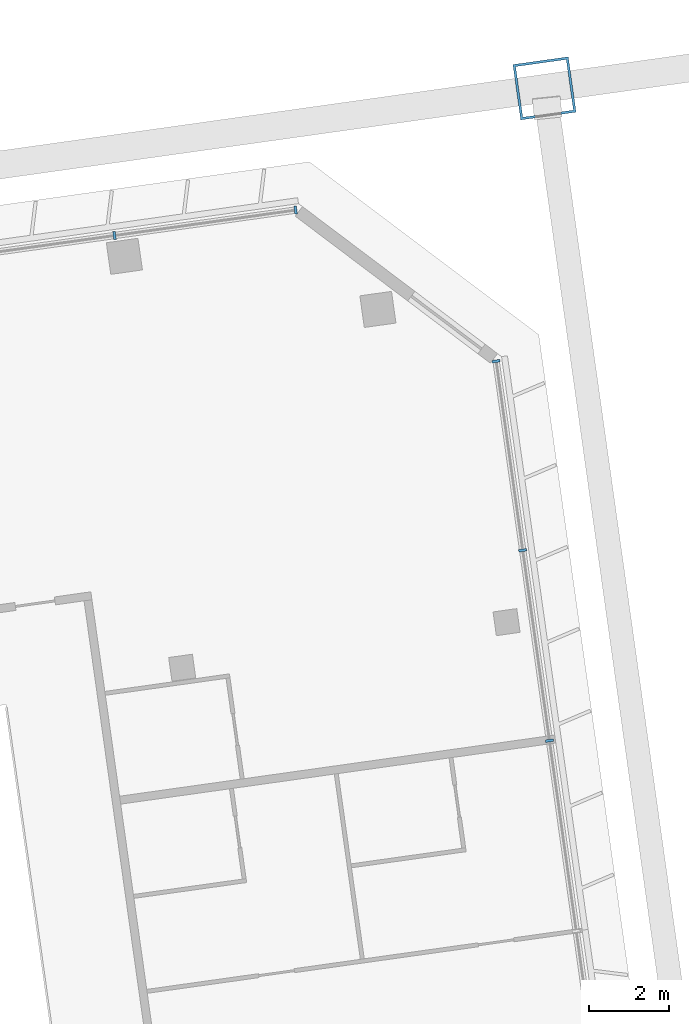
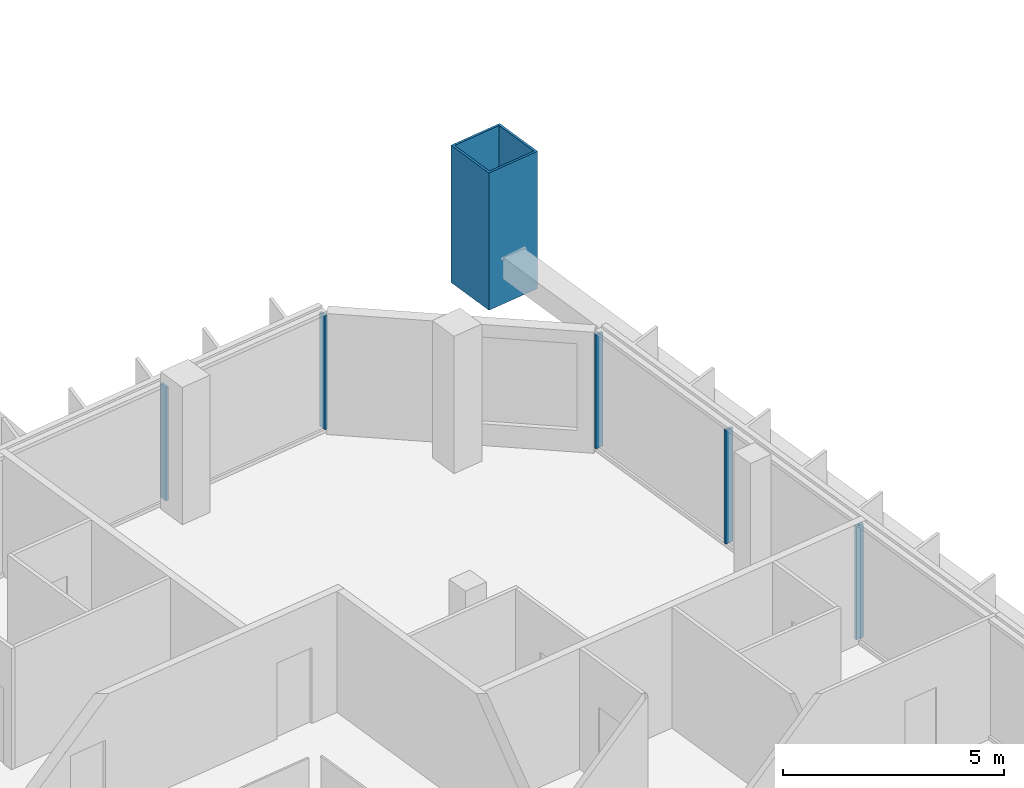
# One storey, part 22 of 38: 6 members, 2 elements without a shape of their own.
"""IFC4 building model written with IfcOpenShell, lengths in metres."""

from ifc_helpers import new_model, si_unit, direction, frame, origin, origin_2d, place, context, subcontext, project, spatial, rectangle, hollow_rectangle, extrude, material, material_profile, profile_set, type_object, element, aggregate, save


model = new_model("IFC4")

# Units and contexts
model_context = context("Model", 3, precision=1e-05, world=origin(), true_north=direction((0.0, 1.0)))
body_context = subcontext(model_context, "Body", "Model", "MODEL_VIEW")
ifc_project = project(units=[si_unit("LENGTHUNIT", "METRE"), si_unit("AREAUNIT", "SQUARE_METRE"), si_unit("VOLUMEUNIT", "CUBIC_METRE"), si_unit("PLANEANGLEUNIT", "RADIAN"), si_unit("MASSUNIT", "GRAM", prefix="KILO")], contexts=[model_context])

# Site, building, storey
site_placement = place(None, origin())
site = spatial("IfcSite", under=ifc_project, at=site_placement, CompositionType="ELEMENT")
building_placement = place(site_placement, origin())
building = spatial("IfcBuilding", under=site, at=building_placement, Name="Mirante Cascada Hotel Towers", CompositionType="ELEMENT")
storey_placement = place(building_placement, frame((0.0, 0.0, 184.0)))
storey = spatial("IfcBuildingStorey", under=building, at=storey_placement, Name="L43", CompositionType="ELEMENT", Elevation=184.0)

# Member
ifc_material_1 = material(Name="Steel ASTM A572 Gr 50", Category="steel")
ifc_material_profile_1 = material_profile(ifc_material_1, hollow_rectangle(XDim=1.4, YDim=1.4, WallThickness=0.06, at=origin_2d()), Name="Box post 1400x1400x60 ASTM A572 Gr 50")
ifc_profile_set_1 = profile_set([ifc_material_profile_1], Name="Steel ASTM A572 Gr 50")
member_type_1 = type_object("IfcMemberType", Name="Box post 1400x1400x60 ASTM A572 Gr 50", PredefinedType="POST", material=ifc_profile_set_1)
member_1_placement = place(storey_placement, frame((82.5324, 26.5893, 0.0), z_axis=(0.0, 0.0, 1.0), x_axis=(0.9902681, 0.1391731, 0.0)))
element("IfcMember", 1, at=member_1_placement, inside=storey, type_object=member_type_1, Name="Mega column MP3 T2 L43", PredefinedType="POST", context=body_context, shape_type="SweptSolid", body=[
    extrude(hollow_rectangle(XDim=1.4, YDim=1.4, WallThickness=0.06, at=origin_2d()), origin(), (0.0, 0.0, 1.0), 3.8),
])

# Curtain wall, members
ifc_material_2 = material(Name="Aluminium mullion and transom frame with clear laminated glass", Category="aluminium")
curtain_wall_type_1 = type_object("IfcCurtainWallType", Name="Ribbon curtain wall ECW1", PredefinedType="NOTDEFINED", material=ifc_material_2)
curtain_wall_1_placement = place(storey_placement, origin())
curtain_wall_1 = element("IfcCurtainWall", 2, at=curtain_wall_1_placement, inside=storey, type_object=curtain_wall_type_1, Name="Front ribbon wall T2 L43", PredefinedType="NOTDEFINED")
ifc_material_3 = material(Name="Anodised aluminium extrusion", Category="aluminium")
ifc_material_profile_2 = material_profile(ifc_material_3, rectangle(XDim=0.2, YDim=0.065, at=origin_2d()), Name="ECW1 MULLION 65x200")
ifc_profile_set_2 = profile_set([ifc_material_profile_2], Name="Anodised aluminium extrusion")
member_type_2 = type_object("IfcMemberType", Name="ECW1 mullion 65x200", PredefinedType="MULLION", material=ifc_profile_set_2)
member_2_placement = place(storey_placement, frame((76.3011, 23.5425, 0.1), z_axis=(0.0, 0.0, 1.0), x_axis=(0.1391731, -0.9902681, 0.0)))
member_2 = element("IfcMember", 3, at=member_2_placement, type_object=member_type_2, Name="ECW1 mullion 1", PredefinedType="MULLION", context=body_context, shape_type="SweptSolid", body=[
    extrude(rectangle(XDim=0.2, YDim=0.065, at=origin_2d()), origin(), (0.0, 0.0, 1.0), 3.15),
])
member_3_placement = place(storey_placement, frame((71.7686, 22.9054, 0.1), z_axis=(0.0, 0.0, 1.0), x_axis=(0.1391731, -0.9902681, 0.0)))
member_3 = element("IfcMember", 4, at=member_3_placement, type_object=member_type_2, Name="ECW1 mullion 2", PredefinedType="MULLION", context=body_context, shape_type="SweptSolid", body=[
    extrude(rectangle(XDim=0.2, YDim=0.065, at=origin_2d()), origin(), (0.0, 0.0, 1.0), 3.15),
])
aggregate(curtain_wall_1, [member_2, member_3])

ifc_material_4 = material(Name="Aluminium mullion and transom frame with clear laminated glass", Category="aluminium")
curtain_wall_type_2 = type_object("IfcCurtainWallType", Name="End ribbon curtain wall ECW2", PredefinedType="NOTDEFINED", material=ifc_material_4)
curtain_wall_2_placement = place(storey_placement, origin())
curtain_wall_2 = element("IfcCurtainWall", 5, at=curtain_wall_2_placement, inside=storey, type_object=curtain_wall_type_2, Name="Outer end wall T2 L43", PredefinedType="NOTDEFINED")
ifc_material_5 = material(Name="Anodised aluminium extrusion", Category="aluminium")
ifc_material_profile_3 = material_profile(ifc_material_5, rectangle(XDim=0.2, YDim=0.065, at=origin_2d()), Name="ECW2 MULLION 65x200")
ifc_profile_set_3 = profile_set([ifc_material_profile_3], Name="Anodised aluminium extrusion")
member_type_3 = type_object("IfcMemberType", Name="ECW2 mullion 65x200", PredefinedType="MULLION", material=ifc_profile_set_3)
member_4_placement = place(storey_placement, frame((82.6561, 10.2603, 0.1), z_axis=(0.0, 0.0, 1.0), x_axis=(-0.9902681, -0.1391731, 0.0)))
member_4 = element("IfcMember", 6, at=member_4_placement, type_object=member_type_3, Name="ECW2 mullion 5", PredefinedType="MULLION", context=body_context, shape_type="SweptSolid", body=[
    extrude(rectangle(XDim=0.2, YDim=0.065, at=origin_2d()), origin(), (0.0, 0.0, 1.0), 3.15),
])
member_5_placement = place(storey_placement, frame((81.9864, 15.026, 0.1), z_axis=(0.0, 0.0, 1.0), x_axis=(-0.9902681, -0.1391731, 0.0)))
member_5 = element("IfcMember", 7, at=member_5_placement, type_object=member_type_3, Name="ECW2 mullion 6", PredefinedType="MULLION", context=body_context, shape_type="SweptSolid", body=[
    extrude(rectangle(XDim=0.2, YDim=0.065, at=origin_2d()), origin(), (0.0, 0.0, 1.0), 3.15),
])
member_6_placement = place(storey_placement, frame((81.3211, 19.7596, 0.1), z_axis=(0.0, 0.0, 1.0), x_axis=(-0.9902681, -0.1391731, 0.0)))
member_6 = element("IfcMember", 8, at=member_6_placement, type_object=member_type_3, Name="ECW2 mullion 7", PredefinedType="MULLION", context=body_context, shape_type="SweptSolid", body=[
    extrude(rectangle(XDim=0.2, YDim=0.065, at=origin_2d()), origin(), (0.0, 0.0, 1.0), 3.15),
])
aggregate(curtain_wall_2, [member_4, member_5, member_6])

save(model, "model.ifc")
